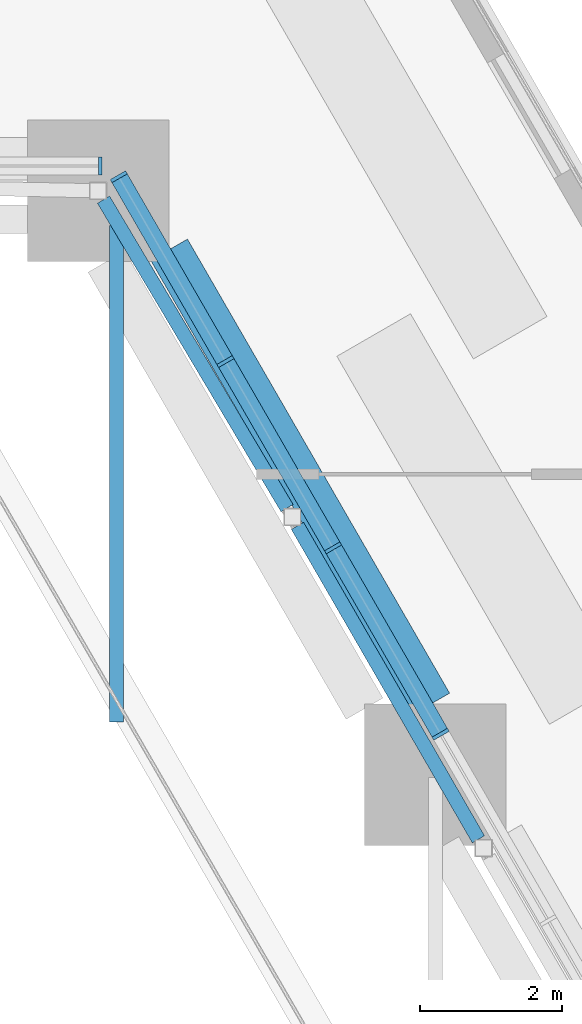
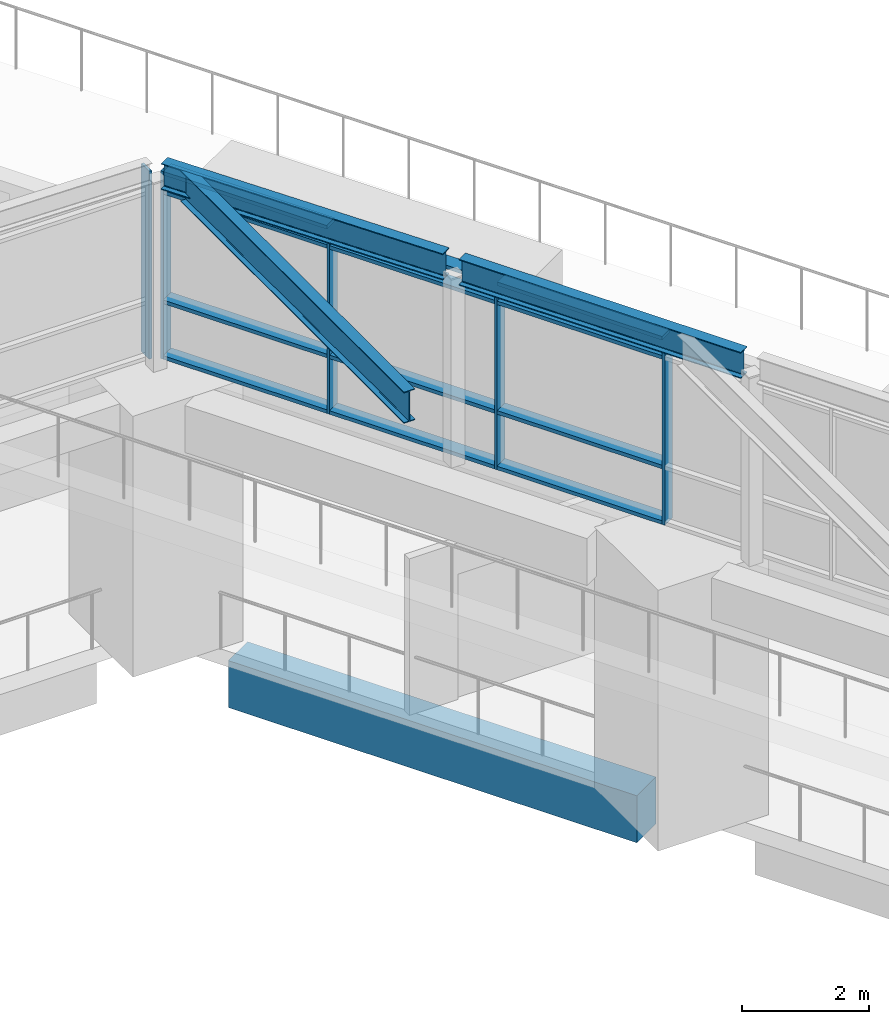
# One storey, part 5 of 19: 17 members, 4 beams, 2 elements without a shape of their own.
"""IFC4 building model written with IfcOpenShell, lengths in metres."""

from ifc_helpers import new_model, si_unit, direction, frame, origin, origin_2d, place, context, subcontext, project, spatial, rectangle, i_section, extrude, material, material_profile, profile_set, type_object, element, aggregate, save


model = new_model("IFC4")

# Units and contexts
model_context = context("Model", 3, precision=1e-05, world=origin(), true_north=direction((0.0, 1.0)))
body_context = subcontext(model_context, "Body", "Model", "MODEL_VIEW")
ifc_project = project(units=[si_unit("LENGTHUNIT", "METRE"), si_unit("AREAUNIT", "SQUARE_METRE"), si_unit("VOLUMEUNIT", "CUBIC_METRE"), si_unit("PLANEANGLEUNIT", "RADIAN"), si_unit("MASSUNIT", "GRAM", prefix="KILO")], contexts=[model_context])

# Site, building, storey
site_placement = place(None, origin())
site = spatial("IfcSite", under=ifc_project, at=site_placement, CompositionType="ELEMENT")
building_placement = place(site_placement, origin())
building = spatial("IfcBuilding", under=site, at=building_placement, Name="Fogline Exchange Tower", CompositionType="ELEMENT")
storey_placement = place(building_placement, frame((0.0, 0.0, 20.0)))
storey = spatial("IfcBuildingStorey", under=building, at=storey_placement, Name="L03", CompositionType="ELEMENT", Elevation=20.0)

# Beam
ifc_material_1 = material(Name="Concrete C40", Category="concrete")
ifc_material_profile_1 = material_profile(ifc_material_1, rectangle(XDim=0.60009765625, YDim=0.89990234375, at=origin_2d()), Name="RC 600x900")
ifc_profile_set_1 = profile_set([ifc_material_profile_1], Name="Concrete C40")
beam_type_1 = type_object("IfcBeamType", Name="B09", PredefinedType="BEAM", material=ifc_profile_set_1)
beam_1_placement = place(storey_placement, frame((9.739990234375, 55.168212890625, -0.75), z_axis=(0.500011685716, -0.866018656928, 0.0), x_axis=(0.866018656928, 0.500011685716, 0.0)))
element("IfcBeam", 1, at=beam_1_placement, inside=storey, type_object=beam_type_1, Name="RB003", PredefinedType="BEAM", context=body_context, shape_type="SweptSolid", body=[
    extrude(rectangle(XDim=0.60009765625, YDim=0.89990234375, at=origin_2d()), origin(), (0.0, 0.0, 1.0), 7.404052734375),
])

# Curtain wall, member
ifc_material_2 = material(Name="Aluminium and glass", Category="aluminium")
curtain_wall_type = type_object("IfcCurtainWallType", Name="CW2", PredefinedType="NOTDEFINED", material=ifc_material_2)
curtain_wall_1_placement = place(storey_placement, origin())
curtain_wall_1 = element("IfcCurtainWall", 2, at=curtain_wall_1_placement, inside=storey, type_object=curtain_wall_type, Name="CW2 lantern run 1", PredefinedType="NOTDEFINED")
ifc_material_3 = material(Name="Aluminium", Category="aluminium")
ifc_material_profile_2 = material_profile(ifc_material_3, rectangle(XDim=0.25, YDim=0.050048828125, at=origin_2d()), Name="Mullion 50x250")
ifc_profile_set_2 = profile_set([ifc_material_profile_2], Name="Aluminium")
member_type_1 = type_object("IfcMemberType", Name="CW2-M", PredefinedType="MULLION", material=ifc_profile_set_2)
member_1_placement = place(storey_placement, frame((8.767333984375, 56.35009765625, 5.0), z_axis=(0.0, 0.0, 1.0), x_axis=(0.0, -1.0, 0.0)))
member_1 = element("IfcMember", 3, at=member_1_placement, type_object=member_type_1, Name="CW2-P03-01 mullion 1", PredefinedType="MULLION", context=body_context, shape_type="SweptSolid", body=[
    extrude(rectangle(XDim=0.25, YDim=0.050048828125, at=origin_2d()), origin(), (0.0, 0.0, 1.0), 3.60009765625),
])
aggregate(curtain_wall_1, [member_1])

# Curtain wall, members
curtain_wall_2_placement = place(storey_placement, origin())
curtain_wall_2 = element("IfcCurtainWall", 4, at=curtain_wall_2_placement, inside=storey, type_object=curtain_wall_type, Name="CW2 lantern run 3", PredefinedType="NOTDEFINED")
member_2_placement = place(storey_placement, frame((13.574462890625, 48.32666015625, 5.0), z_axis=(0.0, 0.0, 1.0), x_axis=(-0.866025401324, -0.500000004262, 0.0)))
member_2 = element("IfcMember", 5, at=member_2_placement, type_object=member_type_1, Name="CW2-P03-03 mullion 7", PredefinedType="MULLION", context=body_context, shape_type="SweptSolid", body=[
    extrude(rectangle(XDim=0.25, YDim=0.050048828125, at=origin_2d()), origin(), (0.0, 0.0, 1.0), 3.60009765625),
])
member_3_placement = place(storey_placement, frame((12.055419921875, 50.957763671875, 5.0), z_axis=(0.0, 0.0, 1.0), x_axis=(-0.866025401324, -0.500000004262, 0.0)))
member_3 = element("IfcMember", 6, at=member_3_placement, type_object=member_type_1, Name="CW2-P03-03 mullion 8", PredefinedType="MULLION", context=body_context, shape_type="SweptSolid", body=[
    extrude(rectangle(XDim=0.25, YDim=0.050048828125, at=origin_2d()), origin(), (0.0, 0.0, 1.0), 3.60009765625),
])
member_4_placement = place(storey_placement, frame((10.536376953125, 53.5888671875, 5.0), z_axis=(0.0, 0.0, 1.0), x_axis=(-0.866025401324, -0.500000004262, 0.0)))
member_4 = element("IfcMember", 7, at=member_4_placement, type_object=member_type_1, Name="CW2-P03-03 mullion 9", PredefinedType="MULLION", context=body_context, shape_type="SweptSolid", body=[
    extrude(rectangle(XDim=0.25, YDim=0.050048828125, at=origin_2d()), origin(), (0.0, 0.0, 1.0), 3.60009765625),
])
member_5_placement = place(storey_placement, frame((9.02978515625, 56.198486328125, 5.0), z_axis=(0.0, 0.0, 1.0), x_axis=(-0.866025401324, -0.500000004262, 0.0)))
member_5 = element("IfcMember", 8, at=member_5_placement, type_object=member_type_1, Name="CW2-P03-03 mullion 10", PredefinedType="MULLION", context=body_context, shape_type="SweptSolid", body=[
    extrude(rectangle(XDim=0.25, YDim=0.050048828125, at=origin_2d()), origin(), (0.0, 0.0, 1.0), 3.60009765625),
])
ifc_material_profile_3 = material_profile(ifc_material_3, rectangle(XDim=0.25, YDim=0.070068359375, at=origin_2d()), Name="Transom 70x250")
ifc_profile_set_3 = profile_set([ifc_material_profile_3], Name="Aluminium")
member_type_2 = type_object("IfcMemberType", Name="CW2-T", PredefinedType="USERDEFINED", material=ifc_profile_set_3)
member_6_placement = place(storey_placement, frame((13.56201171875, 48.348388671875, 5.034912109375), z_axis=(-0.500005339912, 0.866022320763, 0.0), x_axis=(-0.866022320763, -0.500005339912, 0.0)))
member_6 = element("IfcMember", 9, at=member_6_placement, type_object=member_type_2, Name="CW2-P03-03 transom 7.1", ObjectType="TRANSOM", PredefinedType="USERDEFINED", context=body_context, shape_type="SweptSolid", body=[
    extrude(rectangle(XDim=0.25, YDim=0.070068359375, at=origin_2d()), origin(), (0.0, 0.0, 1.0), 2.98828125),
])
member_7_placement = place(storey_placement, frame((13.56201171875, 48.348388671875, 6.10009765625), z_axis=(-0.500005339912, 0.866022320763, 0.0), x_axis=(-0.866022320763, -0.500005339912, 0.0)))
member_7 = element("IfcMember", 10, at=member_7_placement, type_object=member_type_2, Name="CW2-P03-03 transom 7.2", ObjectType="TRANSOM", PredefinedType="USERDEFINED", context=body_context, shape_type="SweptSolid", body=[
    extrude(rectangle(XDim=0.25, YDim=0.070068359375, at=origin_2d()), origin(), (0.0, 0.0, 1.0), 2.98828125),
])
member_8_placement = place(storey_placement, frame((13.56201171875, 48.348388671875, 8.199951171875), z_axis=(-0.500005339912, 0.866022320763, 0.0), x_axis=(-0.866022320763, -0.500005339912, 0.0)))
member_8 = element("IfcMember", 11, at=member_8_placement, type_object=member_type_2, Name="CW2-P03-03 transom 7.3", ObjectType="TRANSOM", PredefinedType="USERDEFINED", context=body_context, shape_type="SweptSolid", body=[
    extrude(rectangle(XDim=0.25, YDim=0.070068359375, at=origin_2d()), origin(), (0.0, 0.0, 1.0), 2.98828125),
])
member_9_placement = place(storey_placement, frame((13.56201171875, 48.348388671875, 8.56494140625), z_axis=(-0.500005339912, 0.866022320763, 0.0), x_axis=(-0.866022320763, -0.500005339912, 0.0)))
member_9 = element("IfcMember", 12, at=member_9_placement, type_object=member_type_2, Name="CW2-P03-03 transom 7.4", ObjectType="TRANSOM", PredefinedType="USERDEFINED", context=body_context, shape_type="SweptSolid", body=[
    extrude(rectangle(XDim=0.25, YDim=0.070068359375, at=origin_2d()), origin(), (0.0, 0.0, 1.0), 2.98828125),
])
member_10_placement = place(storey_placement, frame((12.04296875, 50.9794921875, 5.034912109375), z_axis=(-0.500005339912, 0.866022320763, 0.0), x_axis=(-0.866022320763, -0.500005339912, 0.0)))
member_10 = element("IfcMember", 13, at=member_10_placement, type_object=member_type_2, Name="CW2-P03-03 transom 8.1", ObjectType="TRANSOM", PredefinedType="USERDEFINED", context=body_context, shape_type="SweptSolid", body=[
    extrude(rectangle(XDim=0.25, YDim=0.070068359375, at=origin_2d()), origin(), (0.0, 0.0, 1.0), 2.98828125),
])
member_11_placement = place(storey_placement, frame((12.04296875, 50.9794921875, 6.10009765625), z_axis=(-0.500005339912, 0.866022320763, 0.0), x_axis=(-0.866022320763, -0.500005339912, 0.0)))
member_11 = element("IfcMember", 14, at=member_11_placement, type_object=member_type_2, Name="CW2-P03-03 transom 8.2", ObjectType="TRANSOM", PredefinedType="USERDEFINED", context=body_context, shape_type="SweptSolid", body=[
    extrude(rectangle(XDim=0.25, YDim=0.070068359375, at=origin_2d()), origin(), (0.0, 0.0, 1.0), 2.98828125),
])
member_12_placement = place(storey_placement, frame((12.04296875, 50.9794921875, 8.199951171875), z_axis=(-0.500005339912, 0.866022320763, 0.0), x_axis=(-0.866022320763, -0.500005339912, 0.0)))
member_12 = element("IfcMember", 15, at=member_12_placement, type_object=member_type_2, Name="CW2-P03-03 transom 8.3", ObjectType="TRANSOM", PredefinedType="USERDEFINED", context=body_context, shape_type="SweptSolid", body=[
    extrude(rectangle(XDim=0.25, YDim=0.070068359375, at=origin_2d()), origin(), (0.0, 0.0, 1.0), 2.98828125),
])
member_13_placement = place(storey_placement, frame((12.04296875, 50.9794921875, 8.56494140625), z_axis=(-0.500005339912, 0.866022320763, 0.0), x_axis=(-0.866022320763, -0.500005339912, 0.0)))
member_13 = element("IfcMember", 16, at=member_13_placement, type_object=member_type_2, Name="CW2-P03-03 transom 8.4", ObjectType="TRANSOM", PredefinedType="USERDEFINED", context=body_context, shape_type="SweptSolid", body=[
    extrude(rectangle(XDim=0.25, YDim=0.070068359375, at=origin_2d()), origin(), (0.0, 0.0, 1.0), 2.98828125),
])
member_14_placement = place(storey_placement, frame((10.52392578125, 53.610595703125, 5.034912109375), z_axis=(-0.500029124038, 0.86600858836, 0.0), x_axis=(-0.86600858836, -0.500029124038, 0.0)))
member_14 = element("IfcMember", 17, at=member_14_placement, type_object=member_type_2, Name="CW2-P03-03 transom 9.1", ObjectType="TRANSOM", PredefinedType="USERDEFINED", context=body_context, shape_type="SweptSolid", body=[
    extrude(rectangle(XDim=0.25, YDim=0.070068359375, at=origin_2d()), origin(), (0.0, 0.0, 1.0), 2.963134765625),
])
member_15_placement = place(storey_placement, frame((10.52392578125, 53.610595703125, 6.10009765625), z_axis=(-0.500029124038, 0.86600858836, 0.0), x_axis=(-0.86600858836, -0.500029124038, 0.0)))
member_15 = element("IfcMember", 18, at=member_15_placement, type_object=member_type_2, Name="CW2-P03-03 transom 9.2", ObjectType="TRANSOM", PredefinedType="USERDEFINED", context=body_context, shape_type="SweptSolid", body=[
    extrude(rectangle(XDim=0.25, YDim=0.070068359375, at=origin_2d()), origin(), (0.0, 0.0, 1.0), 2.963134765625),
])
member_16_placement = place(storey_placement, frame((10.52392578125, 53.610595703125, 8.199951171875), z_axis=(-0.500029124038, 0.86600858836, 0.0), x_axis=(-0.86600858836, -0.500029124038, 0.0)))
member_16 = element("IfcMember", 19, at=member_16_placement, type_object=member_type_2, Name="CW2-P03-03 transom 9.3", ObjectType="TRANSOM", PredefinedType="USERDEFINED", context=body_context, shape_type="SweptSolid", body=[
    extrude(rectangle(XDim=0.25, YDim=0.070068359375, at=origin_2d()), origin(), (0.0, 0.0, 1.0), 2.963134765625),
])
member_17_placement = place(storey_placement, frame((10.52392578125, 53.610595703125, 8.56494140625), z_axis=(-0.500029124038, 0.86600858836, 0.0), x_axis=(-0.86600858836, -0.500029124038, 0.0)))
member_17 = element("IfcMember", 20, at=member_17_placement, type_object=member_type_2, Name="CW2-P03-03 transom 9.4", ObjectType="TRANSOM", PredefinedType="USERDEFINED", context=body_context, shape_type="SweptSolid", body=[
    extrude(rectangle(XDim=0.25, YDim=0.070068359375, at=origin_2d()), origin(), (0.0, 0.0, 1.0), 2.963134765625),
])
aggregate(curtain_wall_2, [member_2, member_3, member_4, member_5, member_6, member_7, member_8, member_9, member_10, member_11, member_12, member_13, member_14, member_15, member_16, member_17])

# Beams
ifc_material_4 = material(Name="Steel Q355 grade B", Category="steel")
ifc_material_profile_4 = material_profile(ifc_material_4, i_section(OverallWidth=0.199951171875, OverallDepth=0.5, WebThickness=0.010009765625, FlangeThickness=0.01611328125, FilletRadius=0.02001953125, at=origin_2d()), Name="HN500X200X10X16")
ifc_profile_set_4 = profile_set([ifc_material_profile_4], Name="Steel Q355 grade B")
beam_type_2 = type_object("IfcBeamType", Name="LB2", PredefinedType="BEAM", material=ifc_profile_set_4)
beam_2_placement = place(storey_placement, frame((14.10791015625, 46.843017578125, 8.75), z_axis=(-0.500007773455, 0.866020915732, 0.0), x_axis=(-0.866020915732, -0.500007773455, 0.0)))
element("IfcBeam", 21, at=beam_2_placement, inside=storey, type_object=beam_type_2, Name="Lantern ring beam", PredefinedType="BEAM", context=body_context, shape_type="SweptSolid", body=[
    extrude(i_section(OverallWidth=0.199951171875, OverallDepth=0.5, WebThickness=0.010009765625, FlangeThickness=0.01611328125, FilletRadius=0.02001953125, at=origin_2d()), origin(), (0.0, 0.0, 1.0), 5.11083984375),
])
beam_3_placement = place(storey_placement, frame((11.406005859375, 51.51904296875, 8.75), z_axis=(-0.511297549171, 0.859403756224, 0.0), x_axis=(-0.859403756224, -0.511297549171, 0.0)))
element("IfcBeam", 22, at=beam_3_placement, inside=storey, type_object=beam_type_2, Name="Lantern ring beam", PredefinedType="BEAM", context=body_context, shape_type="SweptSolid", body=[
    extrude(i_section(OverallWidth=0.199951171875, OverallDepth=0.5, WebThickness=0.010009765625, FlangeThickness=0.01611328125, FilletRadius=0.02001953125, at=origin_2d()), origin(), (0.0, 0.0, 1.0), 5.068603515625),
])
ifc_material_profile_5 = material_profile(ifc_material_4, i_section(OverallWidth=0.199951171875, OverallDepth=0.60009765625, WebThickness=0.010986328125, FlangeThickness=0.01708984375, FilletRadius=0.02001953125, at=origin_2d()), Name="HN600X200X11X17")
ifc_profile_set_5 = profile_set([ifc_material_profile_5], Name="Steel Q355 grade B")
beam_type_3 = type_object("IfcBeamType", Name="LB3", PredefinedType="BEAM", material=ifc_profile_set_5)
beam_4_placement = place(storey_placement, frame((9.0, 48.497314453125, 8.699951171875), z_axis=(0.0, 1.0, 0.0), x_axis=(-1.0, 0.0, 0.0)))
element("IfcBeam", 23, at=beam_4_placement, inside=storey, type_object=beam_type_3, Name="Lantern roof beam", PredefinedType="BEAM", context=body_context, shape_type="SweptSolid", body=[
    extrude(i_section(OverallWidth=0.199951171875, OverallDepth=0.60009765625, WebThickness=0.010986328125, FlangeThickness=0.01708984375, FilletRadius=0.02001953125, at=origin_2d()), origin(), (0.0, 0.0, 1.0), 7.0126953125),
])

save(model, "model.ifc")
